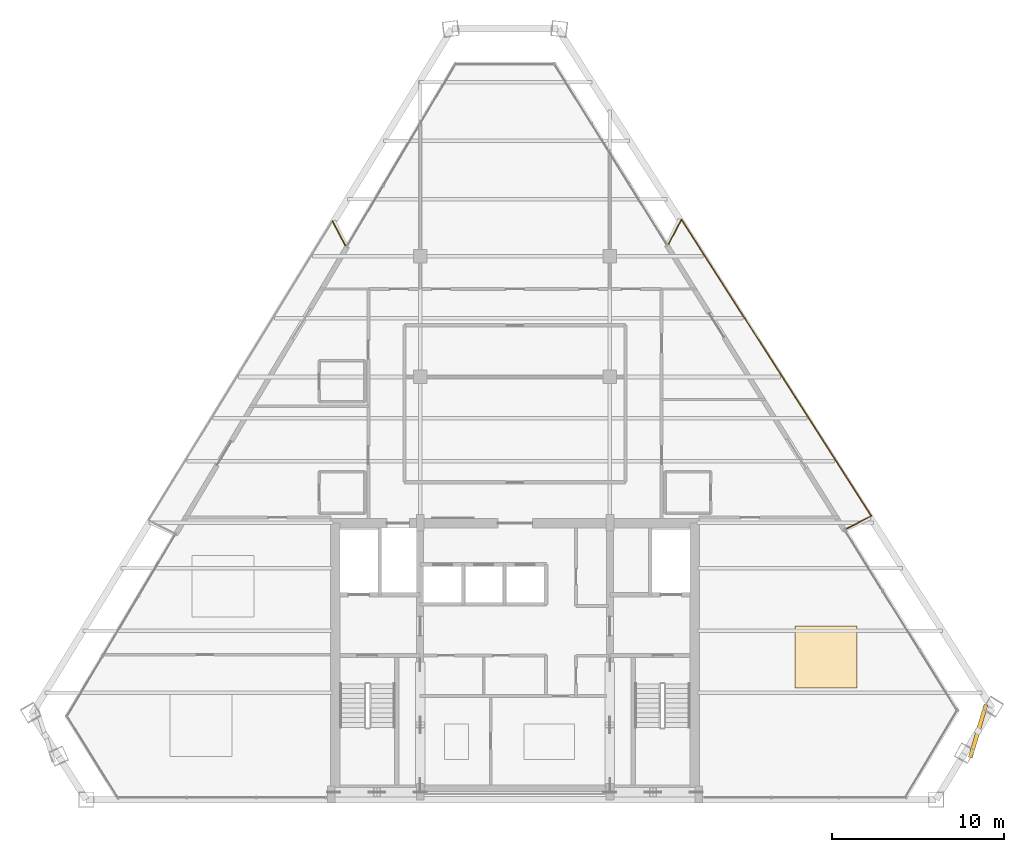
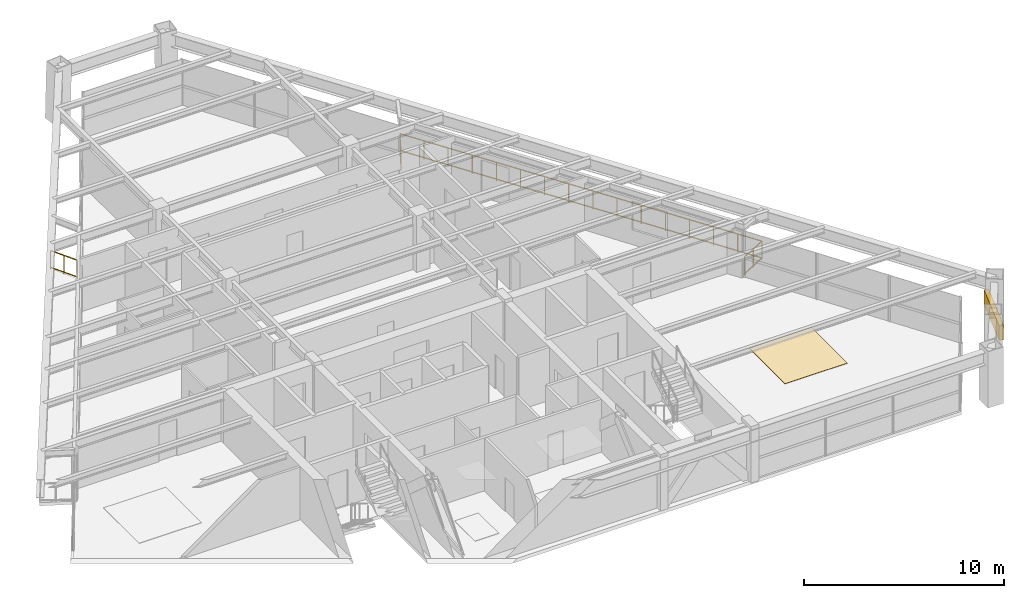
# One storey, part 12 of 12: 4 railings, 1 covering, 1 shading device.
"""IFC4 building model written with IfcOpenShell, lengths in metres."""

from ifc_helpers import new_model, si_unit, direction, frame, origin, origin_2d, place, context, subcontext, project, spatial, rectangle, extrude, source, transform, mapped, material, layer, layer_set, type_object, type_shapes, element, save


model = new_model("IFC4")

# Units and contexts
model_context = context("Model", 3, precision=1e-05, world=origin(), true_north=direction((0.0, 1.0)))
body_context = subcontext(model_context, "Body", "Model", "MODEL_VIEW")
ifc_project = project(units=[si_unit("LENGTHUNIT", "METRE"), si_unit("AREAUNIT", "SQUARE_METRE"), si_unit("VOLUMEUNIT", "CUBIC_METRE"), si_unit("PLANEANGLEUNIT", "RADIAN"), si_unit("MASSUNIT", "GRAM", prefix="KILO")], contexts=[model_context])

# Site, building, storey
site_placement = place(None, origin())
site = spatial("IfcSite", under=ifc_project, at=site_placement, CompositionType="ELEMENT")
building_placement = place(site_placement, origin())
building = spatial("IfcBuilding", under=site, at=building_placement, Name="Varnakhor Terracotta Tower", CompositionType="ELEMENT")
storey_placement = place(building_placement, frame((0.0, 0.0, 226.89990234375)))
storey = spatial("IfcBuildingStorey", under=building, at=storey_placement, Name="L58", CompositionType="ELEMENT", Elevation=226.89990234375)

# Railings
ifc_material_1 = material(Name="Stainless Steel & Laminated Glass Guardrail", Category="steel")
railing_type = type_object("IfcRailingType", Name="RLG-LOGGIA-GUARD-1150", PredefinedType="GUARDRAIL", material=ifc_material_1)
railing_1_placement = place(storey_placement, frame((8.912353515625, 32.2255859375, 0.0)))
element("IfcRailing", 1, at=railing_1_placement, inside=storey, type_object=railing_type, Name="L58 E Loggia Glass Guard 1", PredefinedType="GUARDRAIL", context=body_context, shape_type="SweptSolid", body=[
    extrude(rectangle(XDim=0.048095703125, YDim=0.048095703125, at=origin_2d()), frame((0.0, 0.0, 1.1259765625), z_axis=(0.465219907954, 0.88519514077, 0.0), x_axis=(-0.88519514077, 0.465219907954, 0.0)), (0.0, 0.0, 1.0), 1.58642578125),
    extrude(rectangle(XDim=0.048095703125, YDim=0.048095703125, at=origin_2d()), frame((0.0, 0.0, 0.10009765625), z_axis=(0.465219907954, 0.88519514077, 0.0), x_axis=(-0.88519514077, 0.465219907954, 0.0)), (0.0, 0.0, 1.0), 1.58642578125),
    extrude(rectangle(XDim=0.0419921875, YDim=0.0419921875, at=origin_2d()), origin(), (0.0, 0.0, 1.0), 1.101806640625),
    extrude(rectangle(XDim=0.0419921875, YDim=0.0419921875, at=origin_2d()), frame((0.369140625, 0.7021484375, 0.0)), (0.0, 0.0, 1.0), 1.101806640625),
    extrude(rectangle(XDim=0.0419921875, YDim=0.0419921875, at=origin_2d()), frame((0.738037109375, 1.404296875, 0.0)), (0.0, 0.0, 1.0), 1.101806640625),
])
railing_2_placement = place(storey_placement, frame((9.650390625, 33.6298828125, 0.0)))
element("IfcRailing", 2, at=railing_2_placement, inside=storey, type_object=railing_type, Name="L58 E Loggia Glass Guard 2", PredefinedType="GUARDRAIL", context=body_context, shape_type="SweptSolid", body=[
    extrude(rectangle(XDim=0.048095703125, YDim=0.048095703125, at=origin_2d()), frame((0.0, 0.0, 1.1259765625), z_axis=(0.539286978931, -0.84212205431, 0.0), x_axis=(0.84212205431, 0.539286978931, 0.0)), (0.0, 0.0, 1.0), 20.400390625),
    extrude(rectangle(XDim=0.048095703125, YDim=0.048095703125, at=origin_2d()), frame((0.0, 0.0, 0.10009765625), z_axis=(0.539286978931, -0.84212205431, 0.0), x_axis=(0.84212205431, 0.539286978931, 0.0)), (0.0, 0.0, 1.0), 20.400390625),
    extrude(rectangle(XDim=0.0419921875, YDim=0.0419921875, at=origin_2d()), origin(), (0.0, 0.0, 1.0), 1.101806640625),
    extrude(rectangle(XDim=0.0419921875, YDim=0.0419921875, at=origin_2d()), frame((0.7333984375, -1.145263671875, 0.0)), (0.0, 0.0, 1.0), 1.101806640625),
    extrude(rectangle(XDim=0.0419921875, YDim=0.0419921875, at=origin_2d()), frame((1.466796875, -2.29052734375, 0.0)), (0.0, 0.0, 1.0), 1.101806640625),
    extrude(rectangle(XDim=0.0419921875, YDim=0.0419921875, at=origin_2d()), frame((2.200439453125, -3.43603515625, 0.0)), (0.0, 0.0, 1.0), 1.101806640625),
    extrude(rectangle(XDim=0.0419921875, YDim=0.0419921875, at=origin_2d()), frame((2.933837890625, -4.581298828125, 0.0)), (0.0, 0.0, 1.0), 1.101806640625),
    extrude(rectangle(XDim=0.0419921875, YDim=0.0419921875, at=origin_2d()), frame((3.667236328125, -5.7265625, 0.0)), (0.0, 0.0, 1.0), 1.101806640625),
    extrude(rectangle(XDim=0.0419921875, YDim=0.0419921875, at=origin_2d()), frame((4.400634765625, -6.871826171875, 0.0)), (0.0, 0.0, 1.0), 1.101806640625),
    extrude(rectangle(XDim=0.0419921875, YDim=0.0419921875, at=origin_2d()), frame((5.134033203125, -8.01708984375, 0.0)), (0.0, 0.0, 1.0), 1.101806640625),
    extrude(rectangle(XDim=0.0419921875, YDim=0.0419921875, at=origin_2d()), frame((5.86767578125, -9.16259765625, 0.0)), (0.0, 0.0, 1.0), 1.101806640625),
    extrude(rectangle(XDim=0.0419921875, YDim=0.0419921875, at=origin_2d()), frame((6.60107421875, -10.307861328125, 0.0)), (0.0, 0.0, 1.0), 1.101806640625),
    extrude(rectangle(XDim=0.0419921875, YDim=0.0419921875, at=origin_2d()), frame((7.33447265625, -11.453125, 0.0)), (0.0, 0.0, 1.0), 1.101806640625),
    extrude(rectangle(XDim=0.0419921875, YDim=0.0419921875, at=origin_2d()), frame((8.06787109375, -12.598388671875, 0.0)), (0.0, 0.0, 1.0), 1.101806640625),
    extrude(rectangle(XDim=0.0419921875, YDim=0.0419921875, at=origin_2d()), frame((8.80126953125, -13.74365234375, 0.0)), (0.0, 0.0, 1.0), 1.101806640625),
    extrude(rectangle(XDim=0.0419921875, YDim=0.0419921875, at=origin_2d()), frame((9.534912109375, -14.88916015625, 0.0)), (0.0, 0.0, 1.0), 1.101806640625),
    extrude(rectangle(XDim=0.0419921875, YDim=0.0419921875, at=origin_2d()), frame((10.268310546875, -16.034423828125, 0.0)), (0.0, 0.0, 1.0), 1.101806640625),
    extrude(rectangle(XDim=0.0419921875, YDim=0.0419921875, at=origin_2d()), frame((11.001708984375, -17.1796875, 0.0)), (0.0, 0.0, 1.0), 1.101806640625),
])
railing_3_placement = place(storey_placement, frame((20.652099609375, 16.4501953125, 0.0)))
element("IfcRailing", 3, at=railing_3_placement, inside=storey, type_object=railing_type, Name="L58 E Loggia Glass Guard 3", PredefinedType="GUARDRAIL", context=body_context, shape_type="SweptSolid", body=[
    extrude(rectangle(XDim=0.048095703125, YDim=0.048095703125, at=origin_2d()), frame((0.0, 0.0, 1.1259765625), z_axis=(-0.884794365711, -0.465981684624, 0.0), x_axis=(0.465981684624, -0.884794365711, 0.0)), (0.0, 0.0, 1.0), 1.625244140625),
    extrude(rectangle(XDim=0.048095703125, YDim=0.048095703125, at=origin_2d()), frame((0.0, 0.0, 0.10009765625), z_axis=(-0.884794365711, -0.465981684624, 0.0), x_axis=(0.465981684624, -0.884794365711, 0.0)), (0.0, 0.0, 1.0), 1.625244140625),
    extrude(rectangle(XDim=0.0419921875, YDim=0.0419921875, at=origin_2d()), origin(), (0.0, 0.0, 1.0), 1.101806640625),
    extrude(rectangle(XDim=0.0419921875, YDim=0.0419921875, at=origin_2d()), frame((-0.718994140625, -0.378662109375, 0.0)), (0.0, 0.0, 1.0), 1.101806640625),
    extrude(rectangle(XDim=0.0419921875, YDim=0.0419921875, at=origin_2d()), frame((-1.43798828125, -0.75732421875, 0.0)), (0.0, 0.0, 1.0), 1.101806640625),
])
railing_4_placement = place(storey_placement, frame((-10.5830078125, 33.531982421875, 0.0)))
element("IfcRailing", 4, at=railing_4_placement, inside=storey, type_object=railing_type, Name="L58 W Loggia Glass Guard 3", PredefinedType="GUARDRAIL", context=body_context, shape_type="SweptSolid", body=[
    extrude(rectangle(XDim=0.048095703125, YDim=0.048095703125, at=origin_2d()), frame((0.0, 0.0, 1.1259765625), z_axis=(0.468241878037, -0.88360033027, 0.0), x_axis=(0.88360033027, 0.468241878037, 0.0)), (0.0, 0.0, 1.0), 1.58349609375),
    extrude(rectangle(XDim=0.048095703125, YDim=0.048095703125, at=origin_2d()), frame((0.0, 0.0, 0.10009765625), z_axis=(0.468241878037, -0.88360033027, 0.0), x_axis=(0.88360033027, 0.468241878037, 0.0)), (0.0, 0.0, 1.0), 1.58349609375),
    extrude(rectangle(XDim=0.0419921875, YDim=0.0419921875, at=origin_2d()), origin(), (0.0, 0.0, 1.0), 1.101806640625),
    extrude(rectangle(XDim=0.0419921875, YDim=0.0419921875, at=origin_2d()), frame((0.37060546875, -0.69970703125, 0.0)), (0.0, 0.0, 1.0), 1.101806640625),
    extrude(rectangle(XDim=0.0419921875, YDim=0.0419921875, at=origin_2d()), frame((0.741455078125, -1.399169921875, 0.0)), (0.0, 0.0, 1.0), 1.101806640625),
])

# Shading device
ifc_material_2 = material(Name="Extruded Architectural Terracotta Screen", Category="masonry")
shading_device_type = type_object("IfcShadingDeviceType", Name="TERRACOTTA SOLAR SCREEN E", PredefinedType="USERDEFINED", material=ifc_material_2)
shared_shape_1 = source(origin(), body_context, "Body", "SweptSolid", [
    extrude(rectangle(XDim=3.199951171875, YDim=0.239990234375, at=origin_2d()), origin(), (0.0, 0.0, 1.0), 0.919921875),
])
type_shapes(shading_device_type, [shared_shape_1])
shading_device_placement = place(storey_placement, frame((26.84912109375, 3.96826171875, 1.562255859375), z_axis=(0.0, 0.0, 1.0), x_axis=(0.284032079222, 0.958814777719, 0.0)))
element("IfcShadingDevice", 5, at=shading_device_placement, inside=storey, type_object=shading_device_type, Name="L58 E Terracotta Solar Screen", ObjectType="SCREEN", PredefinedType="USERDEFINED", context=body_context, shape_type="MappedRepresentation", body=[
    mapped(shared_shape_1, transform((0.0, 0.0, 0.0), scale=1.0)),
])

# Covering
ifc_material_3 = material(Name="Honed Riyadh Limestone Flooring", Category="masonry")
ifc_layer = layer(ifc_material_3, 0.030029296875, Name="Honed Riyadh Limestone Flooring")
ifc_layer_set = layer_set([ifc_layer], Name="Honed Riyadh Limestone Flooring")
covering_type = type_object("IfcCoveringType", Name="COV-FLOOR-LIMESTONE", PredefinedType="FLOORING", material=ifc_layer_set)
shared_shape_2 = source(origin(), body_context, "Body", "SweptSolid", [
    extrude(rectangle(XDim=3.60009765625, YDim=3.60009765625, at=origin_2d()), origin(), (0.0, 0.0, 1.0), 0.02001953125),
])
covering_placement = place(storey_placement, frame((18.02490234375, 8.26611328125, 0.0), z_axis=(0.0, 0.0, 1.0), x_axis=(1.0, 0.0, 0.0)))
element("IfcCovering", 6, at=covering_placement, inside=storey, type_object=covering_type, Name="L58 Honed Stone Flooring 4", PredefinedType="FLOORING", context=body_context, shape_type="MappedRepresentation", body=[
    mapped(shared_shape_2, transform((0.0, 0.0, 0.0), scale=1.0)),
])

save(model, "model.ifc")
